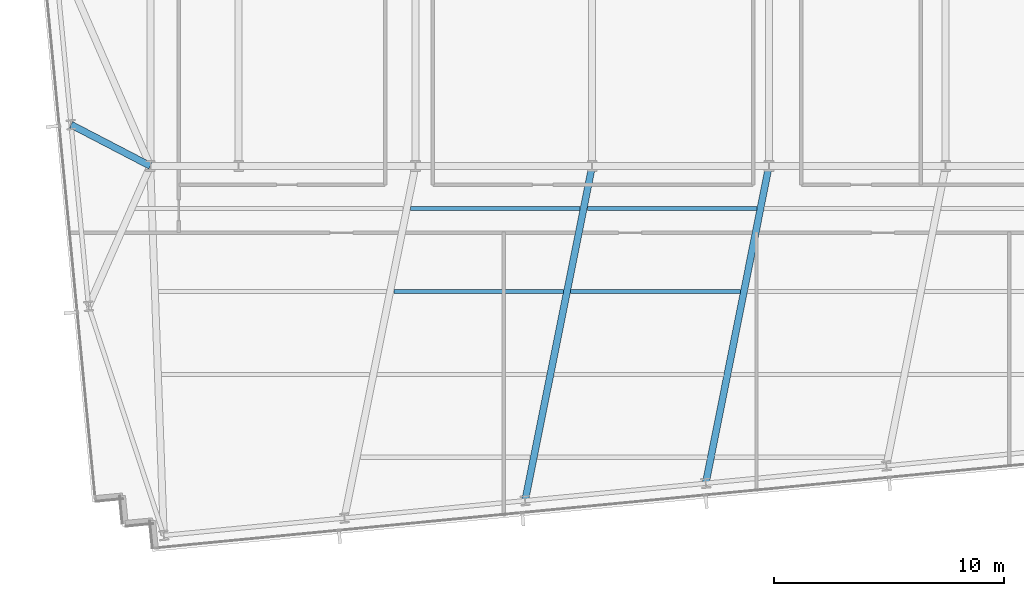
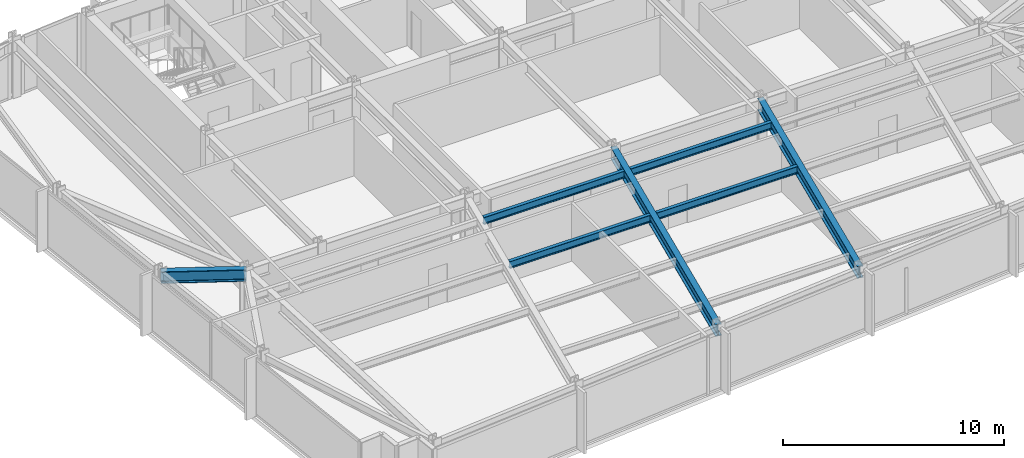
# One storey, part 5 of 32: 7 beams.
"""IFC4 building model written with IfcOpenShell, lengths in metres."""

from ifc_helpers import new_model, si_unit, direction, frame, origin, origin_2d, place, context, subcontext, project, spatial, i_section, extrude, material, material_profile, profile_set, type_object, element, save


model = new_model("IFC4")

# Units and contexts
model_context = context("Model", 3, precision=1e-05, world=origin(), true_north=direction((0.0, 1.0)))
body_context = subcontext(model_context, "Body", "Model", "MODEL_VIEW")
ifc_project = project(units=[si_unit("LENGTHUNIT", "METRE"), si_unit("AREAUNIT", "SQUARE_METRE"), si_unit("VOLUMEUNIT", "CUBIC_METRE"), si_unit("PLANEANGLEUNIT", "RADIAN"), si_unit("MASSUNIT", "GRAM", prefix="KILO")], contexts=[model_context])

# Site, building, storey
site_placement = place(None, origin())
site = spatial("IfcSite", under=ifc_project, at=site_placement, CompositionType="ELEMENT")
building_placement = place(site_placement, origin())
building = spatial("IfcBuilding", under=site, at=building_placement, Name="Yelkora Congress Tower", CompositionType="ELEMENT")
storey_placement = place(building_placement, frame((0.0, 0.0, 99.89990234375)))
storey = spatial("IfcBuildingStorey", under=building, at=storey_placement, Name="L26", CompositionType="ELEMENT", Elevation=99.89990234375)

# Beams
ifc_material = material(Name="Steel S355J2", Category="steel")
ifc_material_profile_1 = material_profile(ifc_material, i_section(OverallWidth=0.300048828125, OverallDepth=0.64990234375, WebThickness=0.01611328125, FlangeThickness=0.031005859375, FilletRadius=0.027099609375, at=origin_2d()), Name="HEB 650")
ifc_profile_set_1 = profile_set([ifc_material_profile_1], Name="Steel S355J2")
beam_type_1 = type_object("IfcBeamType", Name="BM-GIRD-HEB650", PredefinedType="BEAM", material=ifc_profile_set_1)
beam_1_placement = place(storey_placement, frame((35.48486328125, 10.656005859375, 2.85498046875), z_axis=(0.196521264673, 0.980499562739, 0.0), x_axis=(-0.980499562739, 0.196521264673, 0.0)))
element("IfcBeam", 1, at=beam_1_placement, inside=storey, type_object=beam_type_1, Name="L26 Primary Frame Girder S03", PredefinedType="BEAM", context=body_context, shape_type="SweptSolid", body=[
    extrude(i_section(OverallWidth=0.300048828125, OverallDepth=0.64990234375, WebThickness=0.01611328125, FlangeThickness=0.031005859375, FilletRadius=0.027099609375, at=origin_2d()), origin(), (0.0, 0.0, 1.0), 14.833251953125),
])
beam_2_placement = place(storey_placement, frame((43.334228515625, 11.411865234375, 2.85498046875), z_axis=(0.195311238928, 0.980741311432, 0.0), x_axis=(-0.980741311432, 0.195311238928, 0.0)))
element("IfcBeam", 2, at=beam_2_placement, inside=storey, type_object=beam_type_1, Name="L26 Primary Frame Girder S04", PredefinedType="BEAM", context=body_context, shape_type="SweptSolid", body=[
    extrude(i_section(OverallWidth=0.300048828125, OverallDepth=0.64990234375, WebThickness=0.01611328125, FlangeThickness=0.031005859375, FilletRadius=0.027099609375, at=origin_2d()), origin(), (0.0, 0.0, 1.0), 14.058837890625),
])
beam_3_placement = place(storey_placement, frame((15.757080078125, 26.990478515625, 2.85498046875), z_axis=(0.887192078676, -0.461400276912, 0.0), x_axis=(0.461400276912, 0.887192078676, 0.0)))
element("IfcBeam", 3, at=beam_3_placement, inside=storey, type_object=beam_type_1, Name="L26 Primary Frame Girder W02", PredefinedType="BEAM", context=body_context, shape_type="SweptSolid", body=[
    extrude(i_section(OverallWidth=0.300048828125, OverallDepth=0.64990234375, WebThickness=0.01611328125, FlangeThickness=0.031005859375, FilletRadius=0.027099609375, at=origin_2d()), origin(), (0.0, 0.0, 1.0), 3.880615234375),
])
ifc_material_profile_2 = material_profile(ifc_material, i_section(OverallWidth=0.179931640625, OverallDepth=0.39990234375, WebThickness=0.008544921875, FlangeThickness=0.013427734375, FilletRadius=0.02099609375, at=origin_2d()), Name="IPE 400")
ifc_profile_set_2 = profile_set([ifc_material_profile_2], Name="Steel S355J2")
beam_type_2 = type_object("IfcBeamType", Name="BM-JOIST-IPE400", PredefinedType="JOIST", material=ifc_profile_set_2)
beam_4_placement = place(storey_placement, frame((29.780029296875, 19.744384765625, 2.97998046875), z_axis=(1.0, 0.0, 0.0), x_axis=(0.0, 1.0, 0.0)))
element("IfcBeam", 4, at=beam_4_placement, inside=storey, type_object=beam_type_2, Name="L26 Composite Floor Joist 12", PredefinedType="JOIST", context=body_context, shape_type="SweptSolid", body=[
    extrude(i_section(OverallWidth=0.179931640625, OverallDepth=0.39990234375, WebThickness=0.008544921875, FlangeThickness=0.013427734375, FilletRadius=0.02099609375, at=origin_2d()), origin(), (0.0, 0.0, 1.0), 7.366455078125),
])
beam_5_placement = place(storey_placement, frame((37.466552734375, 19.744384765625, 2.97998046875), z_axis=(1.0, 0.0, 0.0), x_axis=(0.0, 1.0, 0.0)))
element("IfcBeam", 5, at=beam_5_placement, inside=storey, type_object=beam_type_2, Name="L26 Composite Floor Joist 13", PredefinedType="JOIST", context=body_context, shape_type="SweptSolid", body=[
    extrude(i_section(OverallWidth=0.179931640625, OverallDepth=0.39990234375, WebThickness=0.008544921875, FlangeThickness=0.013427734375, FilletRadius=0.02099609375, at=origin_2d()), origin(), (0.0, 0.0, 1.0), 7.366943359375),
])
beam_6_placement = place(storey_placement, frame((30.505859375, 23.344482421875, 2.97998046875), z_axis=(1.0, 0.0, 0.0), x_axis=(0.0, 1.0, 0.0)))
element("IfcBeam", 6, at=beam_6_placement, inside=storey, type_object=beam_type_2, Name="L26 Composite Floor Joist 19", PredefinedType="JOIST", context=body_context, shape_type="SweptSolid", body=[
    extrude(i_section(OverallWidth=0.179931640625, OverallDepth=0.39990234375, WebThickness=0.008544921875, FlangeThickness=0.013427734375, FilletRadius=0.02099609375, at=origin_2d()), origin(), (0.0, 0.0, 1.0), 7.3623046875),
])
beam_7_placement = place(storey_placement, frame((38.18798828125, 23.344482421875, 2.97998046875), z_axis=(1.0, 0.0, 0.0), x_axis=(0.0, 1.0, 0.0)))
element("IfcBeam", 7, at=beam_7_placement, inside=storey, type_object=beam_type_2, Name="L26 Composite Floor Joist 20", PredefinedType="JOIST", context=body_context, shape_type="SweptSolid", body=[
    extrude(i_section(OverallWidth=0.179931640625, OverallDepth=0.39990234375, WebThickness=0.008544921875, FlangeThickness=0.013427734375, FilletRadius=0.02099609375, at=origin_2d()), origin(), (0.0, 0.0, 1.0), 7.362548828125),
])

save(model, "model.ifc")
